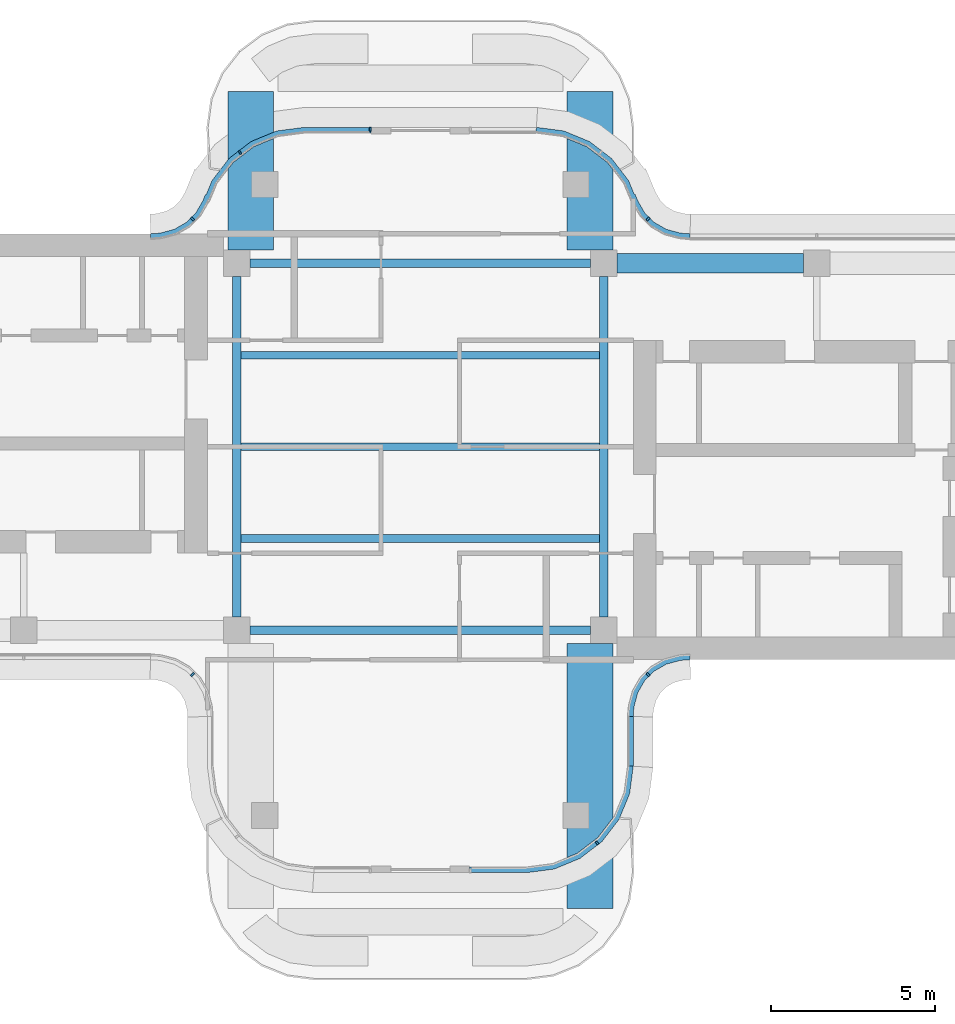
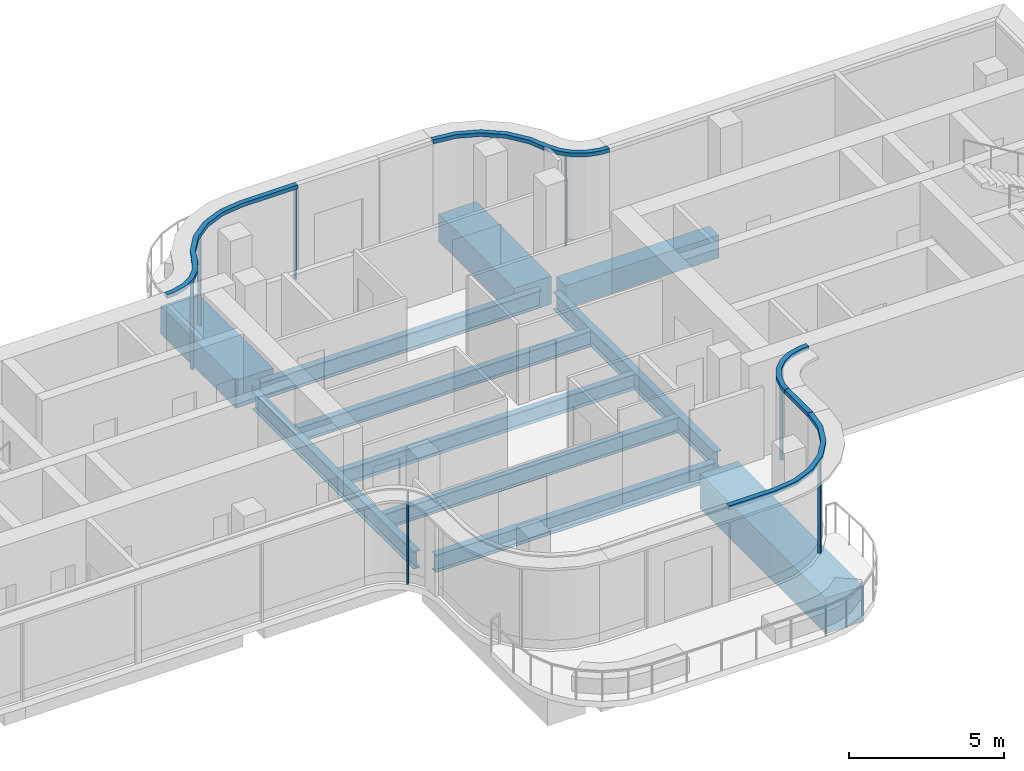
# One storey, part 3 of 9: 12 members, 11 beams, 6 elements without a shape of their own.
"""IFC4 building model written with IfcOpenShell, lengths in metres."""

import ifcopenshell
import ifcopenshell.guid

model = None  # the IFC model being written
_history = None  # IfcOwnerHistory: only IFC2X3 demands one
_inside = {}  # id of a spatial element -> (the spatial element, [elements in it])
_under = {}  # id of a project, library or spatial element -> (it, [spatial elements below it])
_declared = {}  # id of a project -> (the project, [libraries it declares])
_typed = {}  # id of a type object -> (the type object, [elements of that type])
_made_of = {}  # id of a material, layer set ... -> (it, [elements and type objects made of it])


def new_model(schema):
    """Start an empty IFC model of exactly this schema.

    Asked for "IFC4X3", IfcOpenShell would pick the latest addendum, in which some entities
    have other attributes; the version numbers below select the first issue.
    IFC2X3 requires an IfcOwnerHistory on every rooted entity: one is made here for all.
    """
    global model, _history
    if schema == "IFC4X3":
        model = ifcopenshell.file(schema_version=(4, 3, 0, 0))
    else:
        model = ifcopenshell.file(schema=schema)
    _inside.clear()
    _under.clear()
    _declared.clear()
    _typed.clear()
    _made_of.clear()
    _history = None
    if model.schema == "IFC2X3":
        org = make("IfcOrganization", Name="unknown")
        user = make(
            "IfcPersonAndOrganization",
            ThePerson=make("IfcPerson", FamilyName="unknown"),
            TheOrganization=org,
        )
        app = make(
            "IfcApplication",
            ApplicationDeveloper=org,
            Version="unknown",
            ApplicationFullName="unknown",
            ApplicationIdentifier="unknown",
        )
        _history = make(
            "IfcOwnerHistory",
            OwningUser=user,
            OwningApplication=app,
            ChangeAction="ADDED",
            CreationDate=0,
        )
    return model


def make(cls, **values):
    """One entity of the class cls with the attributes given. An attribute that is None is left unset."""
    return model.create_entity(
        cls, **{name: value for name, value in values.items() if value is not None}
    )


def rooted(cls, **values):
    """An entity with a GlobalId (a new one), such as an element, a storey or a relation."""
    return make(cls, GlobalId=ifcopenshell.guid.new(), OwnerHistory=_history, **values)


def si_unit(unit_type, name, prefix=None):
    """IfcSIUnit, for example si_unit("LENGTHUNIT", "METRE", prefix="MILLI")."""
    return make("IfcSIUnit", UnitType=unit_type, Prefix=prefix, Name=name)


def assignment(units):
    """IfcUnitAssignment: the units of a project."""
    return None if units is None else make("IfcUnitAssignment", Units=units)


def point(xyz):
    """IfcCartesianPoint."""
    return None if xyz is None else make("IfcCartesianPoint", Coordinates=xyz)


def direction(xyz):
    """IfcDirection."""
    return None if xyz is None else make("IfcDirection", DirectionRatios=xyz)


def frame(location, z_axis=None, x_axis=None):
    """IfcAxis2Placement3D, a coordinate frame: its origin and axes. An axis left out is left unset."""
    return make(
        "IfcAxis2Placement3D",
        Location=point(location),
        Axis=direction(z_axis),
        RefDirection=direction(x_axis),
    )


def frame_2d(location, x_axis=None):
    """IfcAxis2Placement2D, a coordinate frame in the plane: its origin and x axis."""
    return make(
        "IfcAxis2Placement2D", Location=point(location), RefDirection=direction(x_axis)
    )


def origin():
    """The frame at (0, 0, 0) with its axes left unset."""
    return frame((0.0, 0.0, 0.0))


def origin_2d():
    """The frame at (0, 0) in the plane with its x axis left unset."""
    return frame_2d((0.0, 0.0))


def place(relative_to, where):
    """IfcLocalPlacement: puts the frame where relative to a parent placement (None: the world)."""
    return make(
        "IfcLocalPlacement", PlacementRelTo=relative_to, RelativePlacement=where
    )


def context(
    kind, dimensions, precision=None, world=None, true_north=None, identifier=None
):
    """IfcGeometricRepresentationContext, for example the 3D "Model" context."""
    return make(
        "IfcGeometricRepresentationContext",
        ContextIdentifier=identifier,
        ContextType=kind,
        CoordinateSpaceDimension=dimensions,
        Precision=precision,
        WorldCoordinateSystem=world,
        TrueNorth=true_north,
    )


def subcontext(parent, identifier, kind, view, scale=None):
    """IfcGeometricRepresentationSubContext, for example "Body" below "Model"."""
    return make(
        "IfcGeometricRepresentationSubContext",
        ContextIdentifier=identifier,
        ContextType=kind,
        ParentContext=parent,
        TargetScale=scale,
        TargetView=view,
    )


def project(units=None, contexts=None):
    """IfcProject with its units and contexts."""
    return rooted(
        "IfcProject",
        Name="project",
        RepresentationContexts=contexts,
        UnitsInContext=assignment(units),
    )


def spatial(cls, under=None, at=None, **own):
    """A site, building, storey or space (cls), placed at a placement, below another one or the project."""
    s = rooted(cls, ObjectPlacement=at, **own)
    if under is not None:
        _under.setdefault(under.id(), (under, []))[1].append(s)
    return s


def polyline(points):
    """IfcPolyline through the points."""
    return make("IfcPolyline", Points=[point(p) for p in points])


def profile(cls, at=None, kind="AREA", **sizes):
    """A parametric profile (cls). Its sizes go by their IFC names, for example OverallWidth=200.0."""
    return make(cls, ProfileType=kind, Position=at, **sizes)


def rectangle(**sizes):
    """IfcRectangleProfileDef."""
    return profile("IfcRectangleProfileDef", **sizes)


def i_section(**sizes):
    """IfcIShapeProfileDef."""
    return profile("IfcIShapeProfileDef", **sizes)


def outline(outer, holes=None, kind="AREA"):
    """IfcArbitraryClosedProfileDef: a profile drawn as a closed curve; with holes, ...WithVoids."""
    if holes is None:
        return make("IfcArbitraryClosedProfileDef", ProfileType=kind, OuterCurve=outer)
    return make(
        "IfcArbitraryProfileDefWithVoids",
        ProfileType=kind,
        OuterCurve=outer,
        InnerCurves=holes,
    )


def extrude(swept, where, along, depth):
    """IfcExtrudedAreaSolid: the profile swept, set in the frame where, extruded along a direction by depth."""
    return make(
        "IfcExtrudedAreaSolid",
        SweptArea=swept,
        Position=where,
        ExtrudedDirection=direction(along),
        Depth=depth,
    )


def shape(context_of_items, identifier, shape_type, items):
    """IfcShapeRepresentation: the items that make up one representation, for example the "Body"."""
    return make(
        "IfcShapeRepresentation",
        ContextOfItems=context_of_items,
        RepresentationIdentifier=identifier,
        RepresentationType=shape_type,
        Items=items,
    )


def source(mapping_origin, context_of_items, identifier, shape_type, items):
    """IfcRepresentationMap: a shape defined once, which mapped items show again and again."""
    return make(
        "IfcRepresentationMap",
        MappingOrigin=mapping_origin,
        MappedRepresentation=shape(context_of_items, identifier, shape_type, items),
    )


def transform(
    local_origin,
    x_axis=None,
    y_axis=None,
    z_axis=None,
    scale=None,
    scale2=None,
    scale3=None,
    uniform=True,
):
    """IfcCartesianTransformationOperator3D, or its non-uniform kind. x_axis, y_axis, z_axis: its Axis1, 2, 3."""
    if uniform:
        return make(
            "IfcCartesianTransformationOperator3D",
            Axis1=direction(x_axis),
            Axis2=direction(y_axis),
            LocalOrigin=point(local_origin),
            Scale=scale,
            Axis3=direction(z_axis),
        )
    return make(
        "IfcCartesianTransformationOperator3DnonUniform",
        Axis1=direction(x_axis),
        Axis2=direction(y_axis),
        LocalOrigin=point(local_origin),
        Scale=scale,
        Axis3=direction(z_axis),
        Scale2=scale2,
        Scale3=scale3,
    )


def mapped(mapping_source, mapping_target):
    """IfcMappedItem: shows the shape of a source again, moved by a transform."""
    return make(
        "IfcMappedItem", MappingSource=mapping_source, MappingTarget=mapping_target
    )


def material(Name=None, Category=None):
    """IfcMaterial."""
    return make("IfcMaterial", Name=Name, Category=Category)


def layer(
    of_material, thickness, ventilated=None, Name=None, Category=None, Priority=None
):
    """IfcMaterialLayer: one layer of a wall or slab, of a material (None: an air gap)."""
    return make(
        "IfcMaterialLayer",
        Material=of_material,
        LayerThickness=thickness,
        IsVentilated=ventilated,
        Name=Name,
        Category=Category,
        Priority=Priority,
    )


def layer_set(layers, Name=None):
    """IfcMaterialLayerSet."""
    return make("IfcMaterialLayerSet", MaterialLayers=layers, LayerSetName=Name)


def material_profile(
    of_material, cross_section, Name=None, Category=None, Priority=None
):
    """IfcMaterialProfile: a cross section and its material."""
    return make(
        "IfcMaterialProfile",
        Name=Name,
        Material=of_material,
        Profile=cross_section,
        Priority=Priority,
        Category=Category,
    )


def profile_set(profiles, Name=None, composite=None):
    """IfcMaterialProfileSet."""
    return make(
        "IfcMaterialProfileSet",
        Name=Name,
        MaterialProfiles=profiles,
        CompositeProfile=composite,
    )


def made_of(thing, what):
    """Note that an element or type object is made of a material, layer set ...; save() writes the relation."""
    if what is not None:
        _made_of.setdefault(what.id(), (what, []))[1].append(thing)
    return thing


def type_object(cls, material=None, **own):
    """A type object (cls), such as IfcWallType, which elements share."""
    return made_of(rooted(cls, **own), material)


def element(
    cls,
    number,
    at=None,
    inside=None,
    cuts=None,
    type_object=None,
    material=None,
    context=None,
    identifier="Body",
    shape_type=None,
    held_by="IfcProductDefinitionShape",
    body=None,
    shapes=None,
    **own,
):
    """One element of the class cls, such as IfcWall. Its Tag is "e" and its number.

    at: its placement. inside: the storey or other place that contains it. cuts: it is an
    opening in that element (IfcRelVoidsElement). A single representation is given by context,
    identifier, shape_type and body (its items); several are given by shapes. held_by: the class
    of the entity that holds the representations. save() writes the other relations.
    """
    e = rooted(cls, Tag="e%d" % number, ObjectPlacement=at, **own)
    if body is not None:
        shapes = [shape(context, identifier, shape_type, body)]
    if shapes is not None:
        e.Representation = make(held_by, Representations=shapes)
    if inside is not None:
        _inside.setdefault(inside.id(), (inside, []))[1].append(e)
    if cuts is not None:
        rooted(
            "IfcRelVoidsElement", RelatingBuildingElement=cuts, RelatedOpeningElement=e
        )
    if type_object is not None:
        _typed.setdefault(type_object.id(), (type_object, []))[1].append(e)
    return made_of(e, material)


def aggregate(whole, parts):
    """IfcRelAggregates: a whole, such as a stair, and the parts it consists of."""
    return rooted("IfcRelAggregates", RelatingObject=whole, RelatedObjects=parts)


def save(model, path):
    """Write the relations noted so far, then the file.

    IfcRelAggregates (storeys below a building ...), IfcRelContainedInSpatialStructure (elements
    in a storey), IfcRelDefinesByType, IfcRelAssociatesMaterial and IfcRelDeclares: one each for
    every whole, place, type object, material and project.
    """
    for whole, parts in _under.values():
        aggregate(whole, parts)
    for where, things in _inside.values():
        rooted(
            "IfcRelContainedInSpatialStructure",
            RelatedElements=things,
            RelatingStructure=where,
        )
    for kind, things in _typed.values():
        rooted("IfcRelDefinesByType", RelatedObjects=things, RelatingType=kind)
    for what, things in _made_of.values():
        rooted("IfcRelAssociatesMaterial", RelatedObjects=things, RelatingMaterial=what)
    for by, libraries in _declared.values():
        rooted("IfcRelDeclares", RelatingContext=by, RelatedDefinitions=libraries)
    model.write(path)


model = new_model("IFC4")

# Units and contexts
model_context = context("Model", 3, precision=1e-05, world=origin(), true_north=direction((0.0, 1.0)))
body_context = subcontext(model_context, "Body", "Model", "MODEL_VIEW")
ifc_project = project(units=[si_unit("LENGTHUNIT", "METRE"), si_unit("AREAUNIT", "SQUARE_METRE"), si_unit("VOLUMEUNIT", "CUBIC_METRE"), si_unit("PLANEANGLEUNIT", "RADIAN"), si_unit("MASSUNIT", "GRAM", prefix="KILO")], contexts=[model_context])

# Site, building, storey
site_placement = place(None, origin())
site = spatial("IfcSite", under=ifc_project, at=site_placement, CompositionType="ELEMENT")
building_placement = place(site_placement, origin())
building = spatial("IfcBuilding", under=site, at=building_placement, Name="Trellis Farm Tower", CompositionType="ELEMENT")
storey_placement = place(building_placement, frame((0.0, 0.0, 354.10009765625)))
storey = spatial("IfcBuildingStorey", under=building, at=storey_placement, Name="L80", CompositionType="ELEMENT", Elevation=354.10009765625)

# Curtain wall, member
ifc_material_1 = material(Name="Aluminium and glass curtain wall", Category="aluminium")
ifc_layer_1 = layer(ifc_material_1, 0.176025390625)
ifc_layer_set_1 = layer_set([ifc_layer_1], Name="CROWN LANTERN CURTAIN WALL CW5")
curtain_wall_type = type_object("IfcCurtainWallType", Name="CROWN LANTERN CURTAIN WALL CW5", PredefinedType="NOTDEFINED", material=ifc_layer_set_1)
placement_1 = place(storey_placement, origin())
curtain_wall_1 = element("IfcCurtainWall", 1, at=placement_1, inside=storey, type_object=curtain_wall_type, Name="CW5 003", PredefinedType="NOTDEFINED")
ifc_material_2 = material(Name="Aluminium extrusion 6063-T6", Category="aluminium")
ifc_layer_2 = layer(ifc_material_2, 0.176025390625)
ifc_layer_set_2 = layer_set([ifc_layer_2], Name="Aluminium extrusion 6063-T6")
member_type_1 = type_object("IfcMemberType", Name="CW5 TRANSOM 176x150", PredefinedType="USERDEFINED", material=ifc_layer_set_2)
placement_2 = place(storey_placement, frame((0.0, 0.0, 3.599853515625)))
member_1 = element("IfcMember", 2, at=placement_2, type_object=member_type_1, Name="TR5 003", ObjectType="TRANSOM", PredefinedType="USERDEFINED", context=body_context, shape_type="SweptSolid", body=[
    extrude(outline(polyline([(1.5, -13.0), (3.25, -13.0), (4.091064453125, -12.88916015625), (4.875, -12.564697265625), (5.548095703125, -12.048095703125), (6.064697265625, -11.375), (6.38916015625, -10.591064453125), (6.5, -9.75), (6.323974609375, -9.738525390625), (6.2177734375, -10.545166015625), (5.910888671875, -11.2861328125), (5.422607421875, -11.922607421875), (4.7861328125, -12.410888671875), (4.045166015625, -12.7177734375), (3.238525390625, -12.823974609375), (1.5, -12.823974609375), (1.5, -13.0)])), origin(), (0.0, 0.0, 1.0), 0.150146484375),
])

curtain_wall_2 = element("IfcCurtainWall", 3, at=placement_1, inside=storey, type_object=curtain_wall_type, Name="CW5 010", PredefinedType="NOTDEFINED")
member_2 = element("IfcMember", 4, at=placement_2, type_object=member_type_1, Name="TR5 010", ObjectType="TRANSOM", PredefinedType="USERDEFINED", context=body_context, shape_type="SweptSolid", body=[
    extrude(outline(polyline([(-1.5, 9.75), (-3.542236328125, 9.75), (-4.38330078125, 9.63916015625), (-5.167236328125, 9.314697265625), (-5.84033203125, 8.798095703125), (-6.356689453125, 8.125), (-6.53466796875, 7.69580078125), (-6.555419921875, 7.704345703125), (-6.63623046875, 7.50927734375), (-6.846923828125, 7.144287109375), (-7.144287109375, 6.846923828125), (-7.508544921875, 6.63671875), (-7.91552734375, 6.527587890625), (-8.01953125, 6.513916015625), (-8.2314453125, 6.5), (-8.2255859375, 6.323974609375), (-8.002197265625, 6.338623046875), (-7.881103515625, 6.3544921875), (-7.440673828125, 6.47265625), (-7.0361328125, 6.7060546875), (-6.7060546875, 7.0361328125), (-6.47802734375, 7.431396484375), (-6.460205078125, 7.474365234375), (-6.439453125, 7.4658203125), (-6.203125, 8.0361328125), (-5.71484375, 8.672607421875), (-5.078369140625, 9.160888671875), (-4.33740234375, 9.4677734375), (-3.53076171875, 9.573974609375), (-1.5, 9.573974609375), (-1.5, 9.75)])), origin(), (0.0, 0.0, 1.0), 0.150146484375),
])

# Beams
ifc_material_3 = material(Name="Steel S355", Category="steel")
ifc_material_profile_1 = material_profile(ifc_material_3, i_section(OverallWidth=0.22900390625, OverallDepth=0.6123046875, WebThickness=0.011962890625, FlangeThickness=0.01953125, FilletRadius=0.0126953125, at=origin_2d()), Name="UB 610x229x125")
ifc_profile_set_1 = profile_set([ifc_material_profile_1], Name="Steel S355")
beam_type_1 = type_object("IfcBeamType", Name="UB 610x229x125 joist", PredefinedType="JOIST", material=ifc_profile_set_1)
shared_shape_1 = source(origin(), body_context, "Body", "SweptSolid", [
    extrude(i_section(OverallWidth=0.22900390625, OverallDepth=0.6123046875, WebThickness=0.011962890625, FlangeThickness=0.01953125, FilletRadius=0.0126953125, at=origin_2d()), origin(), (0.0, 0.0, 1.0), 10.9462890625),
])
for number, where, z_axis, x_axis, name in (
    (5, (-5.47314453125, -2.800048828125, -0.55615234375), (1.0, 0.0, 0.0), (0.0, 1.0, 0.0), "Floor beam"),
    (6, (-5.47314453125, 0.0, -0.55615234375), (1.0, 0.0, 0.0), (0.0, 1.0, 0.0), "Floor beam"),
    (7, (-5.47314453125, 2.800048828125, -0.55615234375), (1.0, 0.0, 0.0), (0.0, 1.0, 0.0), "Floor beam"),
):
    element("IfcBeam", number, at=place(storey_placement, frame(where, z_axis=z_axis, x_axis=x_axis)), inside=storey, type_object=beam_type_1, Name=name, PredefinedType="JOIST", context=body_context, shape_type="MappedRepresentation", body=[
        mapped(shared_shape_1, transform((0.0, 0.0, 0.0))),
    ])
ifc_material_profile_2 = material_profile(ifc_material_3, i_section(OverallWidth=0.253662109375, OverallDepth=0.68359375, WebThickness=0.012451171875, FlangeThickness=0.021728515625, FilletRadius=0.01513671875, at=origin_2d()), Name="UB 686x254x140")
ifc_profile_set_2 = profile_set([ifc_material_profile_2], Name="Steel S355")
beam_type_2 = type_object("IfcBeamType", Name="UB 686x254x140", PredefinedType="BEAM", material=ifc_profile_set_2)
shared_shape_2 = source(origin(), body_context, "Body", "SweptSolid", [
    extrude(i_section(OverallWidth=0.253662109375, OverallDepth=0.68359375, WebThickness=0.012451171875, FlangeThickness=0.021728515625, FilletRadius=0.01513671875, at=origin_2d()), origin(), (0.0, 0.0, 1.0), 10.39990234375),
])
for number, where, z_axis, x_axis, name in (
    (8, (-5.199951171875, -5.60009765625, -0.591796875), (1.0, 0.0, 0.0), (0.0, 1.0, 0.0), "Girder"),
    (9, (-5.199951171875, 5.60009765625, -0.591796875), (1.0, 0.0, 0.0), (0.0, 1.0, 0.0), "Girder"),
    (10, (-5.60009765625, -5.199951171875, -0.591796875), (0.0, 1.0, 0.0), (-1.0, 0.0, 0.0), "Girder"),
    (11, (5.60009765625, -5.199951171875, -0.591796875), (0.0, 1.0, 0.0), (-1.0, 0.0, 0.0), "Girder"),
):
    element("IfcBeam", number, at=place(storey_placement, frame(where, z_axis=z_axis, x_axis=x_axis)), inside=storey, type_object=beam_type_2, Name=name, PredefinedType="BEAM", context=body_context, shape_type="MappedRepresentation", body=[
        mapped(shared_shape_2, transform((0.0, 0.0, 0.0))),
    ])
ifc_material_4 = material(Name="Concrete C60/75", Category="concrete")
ifc_material_profile_3 = material_profile(ifc_material_4, rectangle(XDim=0.60009765625, YDim=0.89990234375, at=origin_2d()), Name="RC spandrel beam 600x900 C60/75")
ifc_profile_set_3 = profile_set([ifc_material_profile_3], Name="Concrete C60/75")
beam_type_3 = type_object("IfcBeamType", Name="RC spandrel beam 600x900 C60/75", PredefinedType="SPANDREL", material=ifc_profile_set_3)
shared_shape_3 = source(origin(), body_context, "Body", "SweptSolid", [
    extrude(rectangle(XDim=0.60009765625, YDim=0.89990234375, at=origin_2d()), origin(), (0.0, 0.0, 1.0), 5.699951171875),
])
beam_1_placement = place(storey_placement, frame((6.0, 5.60009765625, -0.7001953125), z_axis=(1.0, 0.0, 0.0), x_axis=(0.0, 1.0, 0.0)))
element("IfcBeam", 12, at=beam_1_placement, inside=storey, type_object=beam_type_3, Name="Girder", PredefinedType="SPANDREL", context=body_context, shape_type="MappedRepresentation", body=[
    mapped(shared_shape_3, transform((0.0, 0.0, 0.0))),
])
ifc_material_5 = material(Name="Concrete C80/95", Category="concrete")
ifc_material_profile_4 = material_profile(ifc_material_5, rectangle(XDim=1.39990234375, YDim=1.39990234375, at=origin_2d()), Name="RC transfer beam 1400x1400 C80/95")
ifc_profile_set_4 = profile_set([ifc_material_profile_4], Name="Concrete C80/95")
beam_type_4 = type_object("IfcBeamType", Name="RC transfer beam 1400x1400 C80/95", PredefinedType="BEAM", material=ifc_profile_set_4)
shared_shape_4 = source(origin(), body_context, "Body", "SweptSolid", [
    extrude(rectangle(XDim=1.39990234375, YDim=1.39990234375, at=origin_2d()), origin(), (0.0, 0.0, 1.0), 8.10009765625),
])
beam_2_placement = place(storey_placement, frame((5.175048828125, -14.10009765625, -0.9501953125), z_axis=(0.0, 1.0, 0.0), x_axis=(-1.0, 0.0, 0.0)))
element("IfcBeam", 13, at=beam_2_placement, inside=storey, type_object=beam_type_4, Name="Transfer girder", PredefinedType="BEAM", context=body_context, shape_type="MappedRepresentation", body=[
    mapped(shared_shape_4, transform((0.0, 0.0, 0.0))),
])
ifc_material_profile_5 = material_profile(ifc_material_5, rectangle(XDim=1.39990234375, YDim=1.10009765625, at=origin_2d()), Name="RC transfer beam 1400x1100 C80/95")
ifc_profile_set_5 = profile_set([ifc_material_profile_5], Name="Concrete C80/95")
beam_type_5 = type_object("IfcBeamType", Name="RC transfer beam 1400x1100 C80/95", PredefinedType="BEAM", material=ifc_profile_set_5)
shared_shape_5 = source(origin(), body_context, "Body", "SweptSolid", [
    extrude(rectangle(XDim=1.39990234375, YDim=1.10009765625, at=origin_2d()), origin(), (0.0, 0.0, 1.0), 4.85009765625),
])
for number, where, z_axis, x_axis, name in (
    (14, (-5.175048828125, 6.0, -0.800048828125), (0.0, 1.0, 0.0), (-1.0, 0.0, 0.0), "Transfer girder"),
    (15, (5.175048828125, 6.0, -0.800048828125), (0.0, 1.0, 0.0), (-1.0, 0.0, 0.0), "Transfer girder"),
):
    element("IfcBeam", number, at=place(storey_placement, frame(where, z_axis=z_axis, x_axis=x_axis)), inside=storey, type_object=beam_type_5, Name=name, PredefinedType="BEAM", context=body_context, shape_type="MappedRepresentation", body=[
        mapped(shared_shape_5, transform((0.0, 0.0, 0.0))),
    ])

# Member
ifc_material_profile_6 = material_profile(ifc_material_2, rectangle(XDim=0.06005859375, YDim=0.1201171875, at=origin_2d()), Name="MULLION 60x120")
ifc_profile_set_6 = profile_set([ifc_material_profile_6], Name="Aluminium extrusion 6063-T6")
member_type_2 = type_object("IfcMemberType", Name="CW5 MULLION 60x120", PredefinedType="MULLION", material=ifc_profile_set_6)
shared_shape_6 = source(origin(), body_context, "Body", "SweptSolid", [
    extrude(rectangle(XDim=0.06005859375, YDim=0.1201171875, at=origin_2d()), origin(), (0.0, 0.0, 1.0), 3.599853515625),
])
member_3_placement = place(storey_placement, frame((5.394775390625, -12.090087890625, 0.0), z_axis=(0.0, 0.0, 1.0), x_axis=(0.793353340291, 0.608761429009, 0.0)))
member_3 = element("IfcMember", 16, at=member_3_placement, type_object=member_type_2, Name="MU5 003-02", PredefinedType="MULLION", context=body_context, shape_type="MappedRepresentation", body=[
    mapped(shared_shape_6, transform((0.0, 0.0, 0.0))),
])

aggregate(curtain_wall_1, [member_3, member_1])

# Curtain wall, member
curtain_wall_3 = element("IfcCurtainWall", 17, at=placement_1, inside=storey, type_object=curtain_wall_type, Name="CW5 005", PredefinedType="NOTDEFINED")
member_4_placement = place(storey_placement, frame((6.953125, -6.953125, 0.0), z_axis=(0.0, 0.0, 1.0), x_axis=(0.707106781187, 0.707106781187, 0.0)))
member_4 = element("IfcMember", 18, at=member_4_placement, type_object=member_type_2, Name="MU5 005-01", PredefinedType="MULLION", context=body_context, shape_type="MappedRepresentation", body=[
    mapped(shared_shape_6, transform((0.0, 0.0, 0.0))),
])

curtain_wall_4 = element("IfcCurtainWall", 19, at=placement_1, inside=storey, type_object=curtain_wall_type, Name="CW5 008", PredefinedType="NOTDEFINED")
member_5_placement = place(storey_placement, frame((6.953125, 6.953125, 0.0), z_axis=(0.0, 0.0, 1.0), x_axis=(-0.707106781187, 0.707106781187, 0.0)))
member_5 = element("IfcMember", 20, at=member_5_placement, type_object=member_type_2, Name="MU5 008-01", PredefinedType="MULLION", context=body_context, shape_type="MappedRepresentation", body=[
    mapped(shared_shape_6, transform((0.0, 0.0, 0.0))),
])

# Member
member_6_placement = place(storey_placement, frame((-1.530029296875, 9.68994140625, 0.0), z_axis=(0.0, 0.0, 1.0), x_axis=(-1.0, 0.0, 0.0)))
member_6 = element("IfcMember", 21, at=member_6_placement, type_object=member_type_2, Name="MU5 010-01", PredefinedType="MULLION", context=body_context, shape_type="MappedRepresentation", body=[
    mapped(shared_shape_6, transform((0.0, 0.0, 0.0))),
])

member_7_placement = place(storey_placement, frame((-5.5029296875, 8.981201171875, 0.0), z_axis=(0.0, 0.0, 1.0), x_axis=(-0.793353340291, -0.608761429009, 0.0)))
member_7 = element("IfcMember", 22, at=member_7_placement, type_object=member_type_2, Name="MU5 010-02", PredefinedType="MULLION", context=body_context, shape_type="MappedRepresentation", body=[
    mapped(shared_shape_6, transform((0.0, 0.0, 0.0))),
])

member_8_placement = place(storey_placement, frame((-6.953125, 6.953125, 0.0), z_axis=(0.0, 0.0, 1.0), x_axis=(-0.707106781187, -0.707106781187, 0.0)))
member_8 = element("IfcMember", 23, at=member_8_placement, type_object=member_type_2, Name="MU5 010-03", PredefinedType="MULLION", context=body_context, shape_type="MappedRepresentation", body=[
    mapped(shared_shape_6, transform((0.0, 0.0, 0.0))),
])

aggregate(curtain_wall_2, [member_6, member_7, member_8, member_2])

# Curtain wall, member
curtain_wall_5 = element("IfcCurtainWall", 24, at=placement_1, inside=storey, type_object=curtain_wall_type, Name="CW5 013", PredefinedType="NOTDEFINED")
member_9_placement = place(storey_placement, frame((-6.953125, -6.953125, 0.0), z_axis=(0.0, 0.0, 1.0), x_axis=(0.707106781187, -0.707106781187, 0.0)))
member_9 = element("IfcMember", 25, at=member_9_placement, type_object=member_type_2, Name="MU5 013-01", PredefinedType="MULLION", context=body_context, shape_type="MappedRepresentation", body=[
    mapped(shared_shape_6, transform((0.0, 0.0, 0.0))),
])
aggregate(curtain_wall_5, [member_9])

# Member
shared_shape_7 = source(origin(), body_context, "Body", "SweptSolid", [
    extrude(outline(polyline([(6.5, -8.2314453125), (6.513916015625, -8.01953125), (6.527587890625, -7.91552734375), (6.63671875, -7.508544921875), (6.846923828125, -7.144287109375), (7.144287109375, -6.846923828125), (7.508544921875, -6.63671875), (7.91552734375, -6.527587890625), (8.01953125, -6.513916015625), (8.2314453125, -6.5), (8.2255859375, -6.323974609375), (8.002197265625, -6.338623046875), (7.881103515625, -6.3544921875), (7.440673828125, -6.47265625), (7.0361328125, -6.7060546875), (6.7060546875, -7.0361328125), (6.47265625, -7.440673828125), (6.3544921875, -7.881103515625), (6.338623046875, -8.002197265625), (6.323974609375, -8.2255859375), (6.5, -8.2314453125)])), origin(), (0.0, 0.0, 1.0), 0.150146484375),
])
member_10 = element("IfcMember", 26, at=placement_2, type_object=member_type_1, Name="TR5 005", ObjectType="TRANSOM", PredefinedType="USERDEFINED", context=body_context, shape_type="MappedRepresentation", body=[
    mapped(shared_shape_7, transform((0.0, 0.0, 0.0))),
])

aggregate(curtain_wall_3, [member_4, member_10])

# Curtain wall, member
curtain_wall_6 = element("IfcCurtainWall", 27, at=placement_1, inside=storey, type_object=curtain_wall_type, Name="CW5 004", PredefinedType="NOTDEFINED")
shared_shape_8 = source(origin(), body_context, "Body", "SweptSolid", [
    extrude(outline(polyline([(6.5, -9.75), (6.5, -8.2314453125), (6.323974609375, -8.2255859375), (6.323974609375, -9.738525390625), (6.5, -9.75)])), origin(), (0.0, 0.0, 1.0), 0.150146484375),
])
member_11 = element("IfcMember", 28, at=placement_2, type_object=member_type_1, Name="TR5 004", ObjectType="TRANSOM", PredefinedType="USERDEFINED", context=body_context, shape_type="MappedRepresentation", body=[
    mapped(shared_shape_8, transform((0.0, 0.0, 0.0))),
])
aggregate(curtain_wall_6, [member_11])

# Member
shared_shape_9 = source(origin(), body_context, "Body", "SweptSolid", [
    extrude(outline(polyline([(8.2314453125, 6.5), (8.01953125, 6.513916015625), (7.91552734375, 6.527587890625), (7.508544921875, 6.63671875), (7.144287109375, 6.846923828125), (6.846923828125, 7.144287109375), (6.63623046875, 7.50927734375), (6.555419921875, 7.704345703125), (6.53466796875, 7.69580078125), (6.356689453125, 8.125), (5.84033203125, 8.798095703125), (5.167236328125, 9.314697265625), (4.38330078125, 9.63916015625), (3.542236328125, 9.75), (3.53076171875, 9.573974609375), (4.33740234375, 9.4677734375), (5.078369140625, 9.160888671875), (5.71484375, 8.672607421875), (6.203125, 8.0361328125), (6.439453125, 7.4658203125), (6.460205078125, 7.474365234375), (6.47802734375, 7.431396484375), (6.7060546875, 7.0361328125), (7.0361328125, 6.7060546875), (7.440673828125, 6.47265625), (7.881103515625, 6.3544921875), (8.002197265625, 6.338623046875), (8.2255859375, 6.323974609375), (8.2314453125, 6.5)])), origin(), (0.0, 0.0, 1.0), 0.150146484375),
])
member_12 = element("IfcMember", 29, at=placement_2, type_object=member_type_1, Name="TR5 008", ObjectType="TRANSOM", PredefinedType="USERDEFINED", context=body_context, shape_type="MappedRepresentation", body=[
    mapped(shared_shape_9, transform((0.0, 0.0, 0.0))),
])

aggregate(curtain_wall_4, [member_5, member_12])

save(model, "model.ifc")
